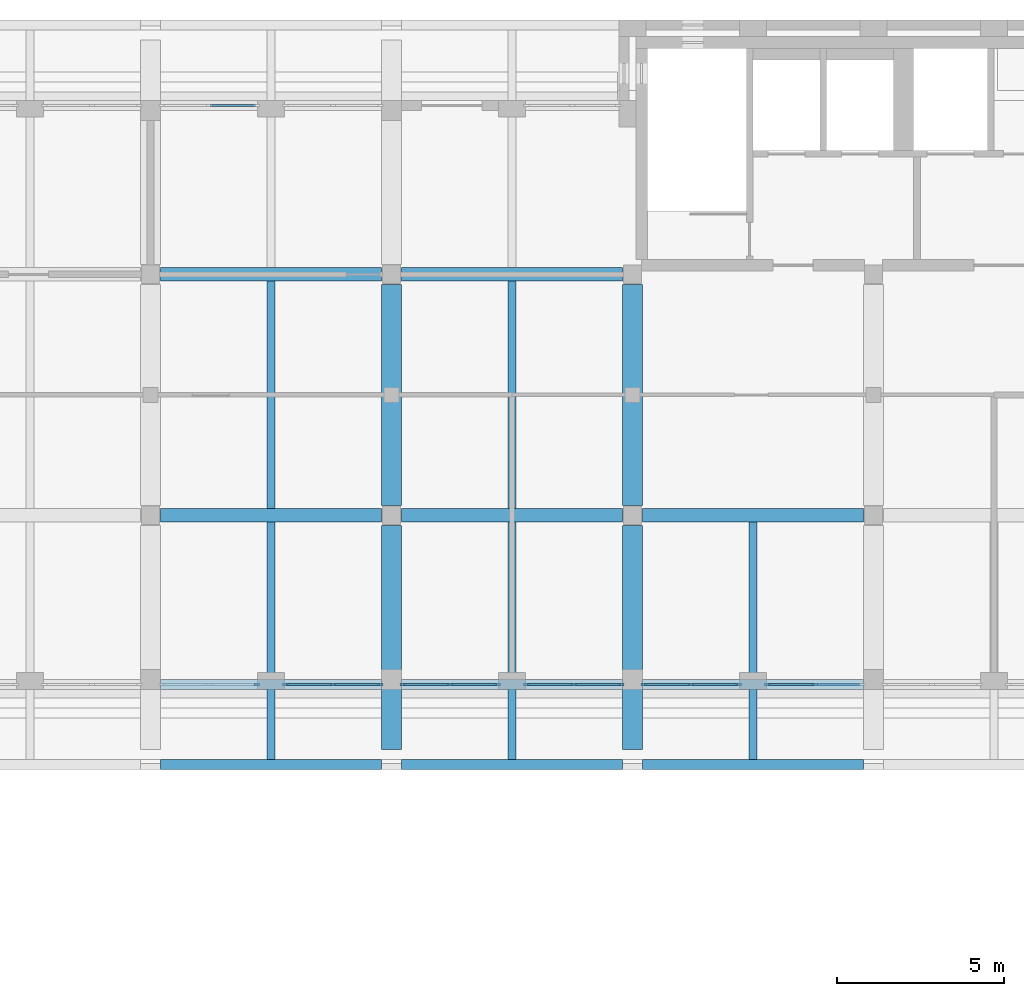
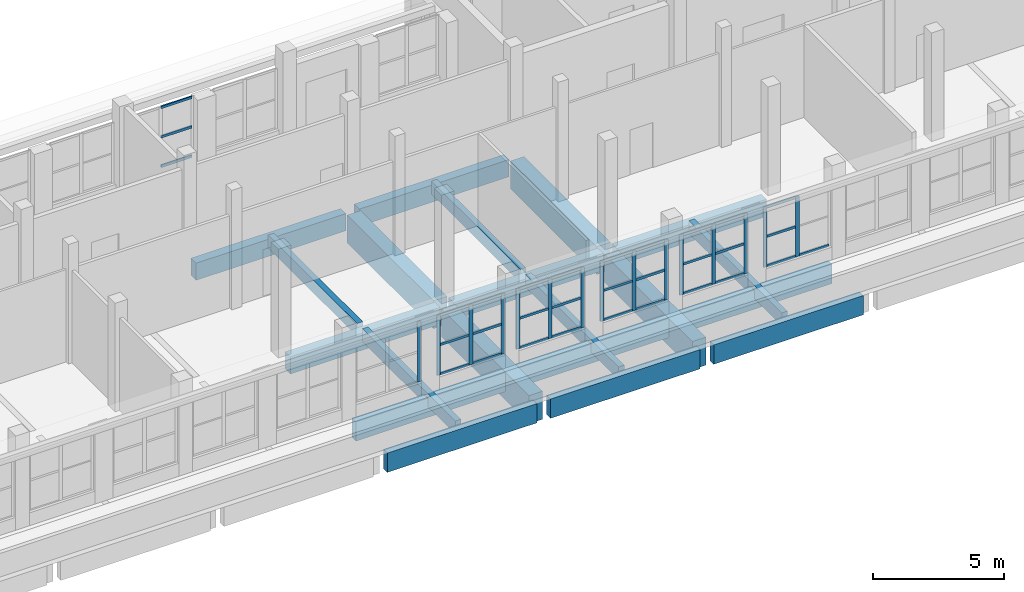
# One storey, part 5 of 30: 46 members, 20 beams, 7 elements without a shape of their own.
"""IFC4 building model written with IfcOpenShell, lengths in metres."""

from ifc_helpers import new_model, si_unit, direction, frame, origin, origin_2d, place, context, subcontext, project, spatial, rectangle, extrude, material, layer, layer_set, material_profile, profile_set, type_object, element, aggregate, save


model = new_model("IFC4")

# Units and contexts
model_context = context("Model", 3, precision=1e-05, world=origin(), true_north=direction((0.0, 1.0)))
body_context = subcontext(model_context, "Body", "Model", "MODEL_VIEW")
ifc_project = project(units=[si_unit("LENGTHUNIT", "METRE"), si_unit("AREAUNIT", "SQUARE_METRE"), si_unit("VOLUMEUNIT", "CUBIC_METRE"), si_unit("PLANEANGLEUNIT", "RADIAN"), si_unit("MASSUNIT", "GRAM", prefix="KILO")], contexts=[model_context])

# Site, building, storey
site_placement = place(None, origin())
site = spatial("IfcSite", under=ifc_project, at=site_placement, CompositionType="ELEMENT")
building_placement = place(site_placement, origin())
building = spatial("IfcBuilding", under=site, at=building_placement, Name="Ussher Court Research Institute", CompositionType="ELEMENT")
storey_placement = place(building_placement, frame((0.0, 0.0, 27.89990234375)))
storey = spatial("IfcBuildingStorey", under=building, at=storey_placement, Name="L06", CompositionType="ELEMENT", Elevation=27.89990234375)

# Curtain wall, members
ifc_material_1 = material(Name="Bronze anodised aluminium with insulated low-e glass", Category="aluminium")
ifc_layer = layer(ifc_material_1, 0.1201171875)
ifc_layer_set = layer_set([ifc_layer], Name="Bronze anodised aluminium with insulated low-e glass")
curtain_wall_type = type_object("IfcCurtainWallType", Name="Curtain wall attic gallery glazing", PredefinedType="NOTDEFINED", material=ifc_layer_set)
curtain_wall_1_placement = place(storey_placement, origin())
curtain_wall_1 = element("IfcCurtainWall", 1, at=curtain_wall_1_placement, inside=storey, type_object=curtain_wall_type, Name="Curtain wall CW11 L06", PredefinedType="NOTDEFINED")
ifc_material_2 = material(Name="Bronze anodised aluminium", Category="aluminium")
ifc_material_profile_1 = material_profile(ifc_material_2, rectangle(XDim=0.06005859375, YDim=0.159912109375, at=origin_2d()), Name="Mullion 60x160")
ifc_profile_set_1 = profile_set([ifc_material_profile_1], Name="Bronze anodised aluminium")
member_type_1 = type_object("IfcMemberType", Name="Mullion 60x160", PredefinedType="MULLION", material=ifc_profile_set_1)
member_1_placement = place(storey_placement, frame((51.64990234375, 70.949951171875, 0.60009765625), z_axis=(0.0, 0.0, 1.0), x_axis=(0.0, -1.0, 0.0)))
member_1 = element("IfcMember", 2, at=member_1_placement, type_object=member_type_1, Name="CW11 mullion 2", PredefinedType="MULLION", context=body_context, shape_type="SweptSolid", body=[
    extrude(rectangle(XDim=0.06005859375, YDim=0.159912109375, at=origin_2d()), origin(), (0.0, 0.0, 1.0), 2.800048828125),
])
member_2_placement = place(storey_placement, frame((50.22998046875, 70.949951171875, 0.60009765625), z_axis=(0.0, 0.0, 1.0), x_axis=(0.0, -1.0, 0.0)))
member_2 = element("IfcMember", 3, at=member_2_placement, type_object=member_type_1, Name="CW11 mullion 3", PredefinedType="MULLION", context=body_context, shape_type="SweptSolid", body=[
    extrude(rectangle(XDim=0.06005859375, YDim=0.159912109375, at=origin_2d()), origin(), (0.0, 0.0, 1.0), 2.800048828125),
])

curtain_wall_2_placement = place(storey_placement, origin())
curtain_wall_2 = element("IfcCurtainWall", 4, at=curtain_wall_2_placement, inside=storey, type_object=curtain_wall_type, Name="Curtain wall CW11 L06", PredefinedType="NOTDEFINED")
member_3_placement = place(storey_placement, frame((49.3701171875, 70.949951171875, 0.60009765625), z_axis=(0.0, 0.0, 1.0), x_axis=(0.0, -1.0, 0.0)))
member_3 = element("IfcMember", 5, at=member_3_placement, type_object=member_type_1, Name="CW11 mullion 1", PredefinedType="MULLION", context=body_context, shape_type="SweptSolid", body=[
    extrude(rectangle(XDim=0.06005859375, YDim=0.159912109375, at=origin_2d()), origin(), (0.0, 0.0, 1.0), 2.800048828125),
])
member_4_placement = place(storey_placement, frame((47.949951171875, 70.949951171875, 0.60009765625), z_axis=(0.0, 0.0, 1.0), x_axis=(0.0, -1.0, 0.0)))
member_4 = element("IfcMember", 6, at=member_4_placement, type_object=member_type_1, Name="CW11 mullion 2", PredefinedType="MULLION", context=body_context, shape_type="SweptSolid", body=[
    extrude(rectangle(XDim=0.06005859375, YDim=0.159912109375, at=origin_2d()), origin(), (0.0, 0.0, 1.0), 2.800048828125),
])
member_5_placement = place(storey_placement, frame((46.530029296875, 70.949951171875, 0.60009765625), z_axis=(0.0, 0.0, 1.0), x_axis=(0.0, -1.0, 0.0)))
member_5 = element("IfcMember", 7, at=member_5_placement, type_object=member_type_1, Name="CW11 mullion 3", PredefinedType="MULLION", context=body_context, shape_type="SweptSolid", body=[
    extrude(rectangle(XDim=0.06005859375, YDim=0.159912109375, at=origin_2d()), origin(), (0.0, 0.0, 1.0), 2.800048828125),
])

curtain_wall_3_placement = place(storey_placement, origin())
curtain_wall_3 = element("IfcCurtainWall", 8, at=curtain_wall_3_placement, inside=storey, type_object=curtain_wall_type, Name="Curtain wall CW11 L06", PredefinedType="NOTDEFINED")
member_6_placement = place(storey_placement, frame((45.8701171875, 70.949951171875, 0.60009765625), z_axis=(0.0, 0.0, 1.0), x_axis=(0.0, -1.0, 0.0)))
member_6 = element("IfcMember", 9, at=member_6_placement, type_object=member_type_1, Name="CW11 mullion 1", PredefinedType="MULLION", context=body_context, shape_type="SweptSolid", body=[
    extrude(rectangle(XDim=0.06005859375, YDim=0.159912109375, at=origin_2d()), origin(), (0.0, 0.0, 1.0), 2.800048828125),
])
member_7_placement = place(storey_placement, frame((44.449951171875, 70.949951171875, 0.60009765625), z_axis=(0.0, 0.0, 1.0), x_axis=(0.0, -1.0, 0.0)))
member_7 = element("IfcMember", 10, at=member_7_placement, type_object=member_type_1, Name="CW11 mullion 2", PredefinedType="MULLION", context=body_context, shape_type="SweptSolid", body=[
    extrude(rectangle(XDim=0.06005859375, YDim=0.159912109375, at=origin_2d()), origin(), (0.0, 0.0, 1.0), 2.800048828125),
])
member_8_placement = place(storey_placement, frame((43.030029296875, 70.949951171875, 0.60009765625), z_axis=(0.0, 0.0, 1.0), x_axis=(0.0, -1.0, 0.0)))
member_8 = element("IfcMember", 11, at=member_8_placement, type_object=member_type_1, Name="CW11 mullion 3", PredefinedType="MULLION", context=body_context, shape_type="SweptSolid", body=[
    extrude(rectangle(XDim=0.06005859375, YDim=0.159912109375, at=origin_2d()), origin(), (0.0, 0.0, 1.0), 2.800048828125),
])

curtain_wall_4_placement = place(storey_placement, origin())
curtain_wall_4 = element("IfcCurtainWall", 12, at=curtain_wall_4_placement, inside=storey, type_object=curtain_wall_type, Name="Curtain wall CW11 L06", PredefinedType="NOTDEFINED")
member_9_placement = place(storey_placement, frame((42.169921875, 70.949951171875, 0.60009765625), z_axis=(0.0, 0.0, 1.0), x_axis=(0.0, -1.0, 0.0)))
member_9 = element("IfcMember", 13, at=member_9_placement, type_object=member_type_1, Name="CW11 mullion 1", PredefinedType="MULLION", context=body_context, shape_type="SweptSolid", body=[
    extrude(rectangle(XDim=0.06005859375, YDim=0.159912109375, at=origin_2d()), origin(), (0.0, 0.0, 1.0), 2.800048828125),
])
member_10_placement = place(storey_placement, frame((40.75, 70.949951171875, 0.60009765625), z_axis=(0.0, 0.0, 1.0), x_axis=(0.0, -1.0, 0.0)))
member_10 = element("IfcMember", 14, at=member_10_placement, type_object=member_type_1, Name="CW11 mullion 2", PredefinedType="MULLION", context=body_context, shape_type="SweptSolid", body=[
    extrude(rectangle(XDim=0.06005859375, YDim=0.159912109375, at=origin_2d()), origin(), (0.0, 0.0, 1.0), 2.800048828125),
])
member_11_placement = place(storey_placement, frame((39.330078125, 70.949951171875, 0.60009765625), z_axis=(0.0, 0.0, 1.0), x_axis=(0.0, -1.0, 0.0)))
member_11 = element("IfcMember", 15, at=member_11_placement, type_object=member_type_1, Name="CW11 mullion 3", PredefinedType="MULLION", context=body_context, shape_type="SweptSolid", body=[
    extrude(rectangle(XDim=0.06005859375, YDim=0.159912109375, at=origin_2d()), origin(), (0.0, 0.0, 1.0), 2.800048828125),
])

curtain_wall_5_placement = place(storey_placement, origin())
curtain_wall_5 = element("IfcCurtainWall", 16, at=curtain_wall_5_placement, inside=storey, type_object=curtain_wall_type, Name="Curtain wall CW11 L06", PredefinedType="NOTDEFINED")
member_12_placement = place(storey_placement, frame((38.669921875, 70.949951171875, 0.60009765625), z_axis=(0.0, 0.0, 1.0), x_axis=(0.0, -1.0, 0.0)))
member_12 = element("IfcMember", 17, at=member_12_placement, type_object=member_type_1, Name="CW11 mullion 1", PredefinedType="MULLION", context=body_context, shape_type="SweptSolid", body=[
    extrude(rectangle(XDim=0.06005859375, YDim=0.159912109375, at=origin_2d()), origin(), (0.0, 0.0, 1.0), 2.800048828125),
])
member_13_placement = place(storey_placement, frame((37.25, 70.949951171875, 0.60009765625), z_axis=(0.0, 0.0, 1.0), x_axis=(0.0, -1.0, 0.0)))
member_13 = element("IfcMember", 18, at=member_13_placement, type_object=member_type_1, Name="CW11 mullion 2", PredefinedType="MULLION", context=body_context, shape_type="SweptSolid", body=[
    extrude(rectangle(XDim=0.06005859375, YDim=0.159912109375, at=origin_2d()), origin(), (0.0, 0.0, 1.0), 2.800048828125),
])
member_14_placement = place(storey_placement, frame((35.830078125, 70.949951171875, 0.60009765625), z_axis=(0.0, 0.0, 1.0), x_axis=(0.0, -1.0, 0.0)))
member_14 = element("IfcMember", 19, at=member_14_placement, type_object=member_type_1, Name="CW11 mullion 3", PredefinedType="MULLION", context=body_context, shape_type="SweptSolid", body=[
    extrude(rectangle(XDim=0.06005859375, YDim=0.159912109375, at=origin_2d()), origin(), (0.0, 0.0, 1.0), 2.800048828125),
])

# Curtain wall, member
curtain_wall_6_placement = place(storey_placement, origin())
curtain_wall_6 = element("IfcCurtainWall", 20, at=curtain_wall_6_placement, inside=storey, type_object=curtain_wall_type, Name="Curtain wall CW11 L06", PredefinedType="NOTDEFINED")
member_15_placement = place(storey_placement, frame((34.969970703125, 70.949951171875, 0.60009765625), z_axis=(0.0, 0.0, 1.0), x_axis=(0.0, -1.0, 0.0)))
member_15 = element("IfcMember", 21, at=member_15_placement, type_object=member_type_1, Name="CW11 mullion 1", PredefinedType="MULLION", context=body_context, shape_type="SweptSolid", body=[
    extrude(rectangle(XDim=0.06005859375, YDim=0.159912109375, at=origin_2d()), origin(), (0.0, 0.0, 1.0), 2.800048828125),
])
aggregate(curtain_wall_6, [member_15])

# Beams
ifc_material_3 = material(Name="Concrete C35/45", Category="concrete")
ifc_material_profile_2 = material_profile(ifc_material_3, rectangle(XDim=0.25, YDim=0.60009765625, at=origin_2d()), Name="RC 250x600")
ifc_profile_set_2 = profile_set([ifc_material_profile_2], Name="Concrete C35/45")
beam_type_1 = type_object("IfcBeamType", Name="RC 250x600 beam", PredefinedType="BEAM", material=ifc_profile_set_2)
beam_1_placement = place(storey_placement, frame((35.39990234375, 68.699951171875, -0.2998046875), z_axis=(0.0, 1.0, 0.0), x_axis=(-1.0, 0.0, 0.0)))
element("IfcBeam", 22, at=beam_1_placement, inside=storey, type_object=beam_type_1, Name="B14 V5 L06-11", PredefinedType="BEAM", context=body_context, shape_type="SweptSolid", body=[
    extrude(rectangle(XDim=0.25, YDim=0.60009765625, at=origin_2d()), origin(), (0.0, 0.0, 1.0), 7.10009765625),
])
beam_2_placement = place(storey_placement, frame((35.39990234375, 76.199951171875, -0.2998046875), z_axis=(0.0, 1.0, 0.0), x_axis=(-1.0, 0.0, 0.0)))
element("IfcBeam", 23, at=beam_2_placement, inside=storey, type_object=beam_type_1, Name="B14 V5 L06-12", PredefinedType="BEAM", context=body_context, shape_type="SweptSolid", body=[
    extrude(rectangle(XDim=0.25, YDim=0.60009765625, at=origin_2d()), origin(), (0.0, 0.0, 1.0), 6.800048828125),
])
beam_3_placement = place(storey_placement, frame((42.60009765625, 68.699951171875, -0.2998046875), z_axis=(0.0, 1.0, 0.0), x_axis=(-1.0, 0.0, 0.0)))
element("IfcBeam", 24, at=beam_3_placement, inside=storey, type_object=beam_type_1, Name="B14 V5 L06-14", PredefinedType="BEAM", context=body_context, shape_type="SweptSolid", body=[
    extrude(rectangle(XDim=0.25, YDim=0.60009765625, at=origin_2d()), origin(), (0.0, 0.0, 1.0), 7.10009765625),
])
beam_4_placement = place(storey_placement, frame((42.60009765625, 76.199951171875, -0.2998046875), z_axis=(0.0, 1.0, 0.0), x_axis=(-1.0, 0.0, 0.0)))
element("IfcBeam", 25, at=beam_4_placement, inside=storey, type_object=beam_type_1, Name="B14 V5 L06-15", PredefinedType="BEAM", context=body_context, shape_type="SweptSolid", body=[
    extrude(rectangle(XDim=0.25, YDim=0.60009765625, at=origin_2d()), origin(), (0.0, 0.0, 1.0), 6.800048828125),
])
beam_5_placement = place(storey_placement, frame((49.800048828125, 68.699951171875, -0.2998046875), z_axis=(0.0, 1.0, 0.0), x_axis=(-1.0, 0.0, 0.0)))
element("IfcBeam", 26, at=beam_5_placement, inside=storey, type_object=beam_type_1, Name="B14 V5 L06-17", PredefinedType="BEAM", context=body_context, shape_type="SweptSolid", body=[
    extrude(rectangle(XDim=0.25, YDim=0.60009765625, at=origin_2d()), origin(), (0.0, 0.0, 1.0), 7.10009765625),
])
ifc_material_4 = material(Name="Concrete C35/45", Category="concrete")
ifc_material_profile_3 = material_profile(ifc_material_4, rectangle(XDim=0.300048828125, YDim=0.89990234375, at=origin_2d()), Name="RC 300x900")
ifc_profile_set_3 = profile_set([ifc_material_profile_3], Name="Concrete C35/45")
beam_type_2 = type_object("IfcBeamType", Name="RC 300x900 beam", PredefinedType="BEAM", material=ifc_profile_set_3)
for number, where, z_axis, x_axis, name in (
    (27, (32.10009765625, 68.550048828125, -0.64990234375), (1.0, 0.0, 0.0), (0.0, 1.0, 0.0), "SB2 V5 L06-05"),
    (28, (39.300048828125, 68.550048828125, -0.64990234375), (1.0, 0.0, 0.0), (0.0, 1.0, 0.0), "SB2 V5 L06-06"),
):
    element("IfcBeam", number, at=place(storey_placement, frame(where, z_axis=z_axis, x_axis=x_axis)), inside=storey, type_object=beam_type_2, Name=name, PredefinedType="BEAM", context=body_context, shape_type="SweptSolid", body=[
        extrude(rectangle(XDim=0.300048828125, YDim=0.89990234375, at=origin_2d()), origin(), (0.0, 0.0, 1.0), 6.599853515625),
    ])
beam_6_placement = place(storey_placement, frame((46.5, 68.550048828125, -0.64990234375), z_axis=(1.0, 0.0, 0.0), x_axis=(0.0, 1.0, 0.0)))
element("IfcBeam", 29, at=beam_6_placement, inside=storey, type_object=beam_type_2, Name="SB2 V5 L06-07", PredefinedType="BEAM", context=body_context, shape_type="SweptSolid", body=[
    extrude(rectangle(XDim=0.300048828125, YDim=0.89990234375, at=origin_2d()), origin(), (0.0, 0.0, 1.0), 6.60009765625),
])
for number, where, z_axis, x_axis, name in (
    (30, (32.10009765625, 70.949951171875, -0.64990234375), (1.0, 0.0, 0.0), (0.0, 1.0, 0.0), "SB2 V5 L06-27"),
    (31, (39.300048828125, 70.949951171875, -0.64990234375), (1.0, 0.0, 0.0), (0.0, 1.0, 0.0), "SB2 V5 L06-28"),
):
    element("IfcBeam", number, at=place(storey_placement, frame(where, z_axis=z_axis, x_axis=x_axis)), inside=storey, type_object=beam_type_2, Name=name, PredefinedType="BEAM", context=body_context, shape_type="SweptSolid", body=[
        extrude(rectangle(XDim=0.300048828125, YDim=0.89990234375, at=origin_2d()), origin(), (0.0, 0.0, 1.0), 6.599853515625),
    ])
beam_7_placement = place(storey_placement, frame((46.5, 70.949951171875, -0.64990234375), z_axis=(1.0, 0.0, 0.0), x_axis=(0.0, 1.0, 0.0)))
element("IfcBeam", 32, at=beam_7_placement, inside=storey, type_object=beam_type_2, Name="SB2 V5 L06-29", PredefinedType="BEAM", context=body_context, shape_type="SweptSolid", body=[
    extrude(rectangle(XDim=0.300048828125, YDim=0.89990234375, at=origin_2d()), origin(), (0.0, 0.0, 1.0), 6.60009765625),
])
ifc_material_5 = material(Name="Concrete C35/45", Category="concrete")
ifc_material_profile_4 = material_profile(ifc_material_5, rectangle(XDim=0.39990234375, YDim=0.800048828125, at=origin_2d()), Name="RC 400x800")
ifc_profile_set_4 = profile_set([ifc_material_profile_4], Name="Concrete C35/45")
beam_type_3 = type_object("IfcBeamType", Name="RC 400x800 beam", PredefinedType="BEAM", material=ifc_profile_set_4)
for number, where, z_axis, x_axis, name in (
    (33, (32.10009765625, 76.0, -0.599853515625), (1.0, 0.0, 0.0), (0.0, 1.0, 0.0), "B17 V5 L06-05"),
    (34, (39.300048828125, 76.0, -0.599853515625), (1.0, 0.0, 0.0), (0.0, 1.0, 0.0), "B17 V5 L06-06"),
):
    element("IfcBeam", number, at=place(storey_placement, frame(where, z_axis=z_axis, x_axis=x_axis)), inside=storey, type_object=beam_type_3, Name=name, PredefinedType="BEAM", context=body_context, shape_type="SweptSolid", body=[
        extrude(rectangle(XDim=0.39990234375, YDim=0.800048828125, at=origin_2d()), origin(), (0.0, 0.0, 1.0), 6.599853515625),
    ])
beam_8_placement = place(storey_placement, frame((46.5, 76.0, -0.599853515625), z_axis=(1.0, 0.0, 0.0), x_axis=(0.0, 1.0, 0.0)))
element("IfcBeam", 35, at=beam_8_placement, inside=storey, type_object=beam_type_3, Name="B17 V5 L06-07", PredefinedType="BEAM", context=body_context, shape_type="SweptSolid", body=[
    extrude(rectangle(XDim=0.39990234375, YDim=0.800048828125, at=origin_2d()), origin(), (0.0, 0.0, 1.0), 6.60009765625),
])
for number, where, z_axis, x_axis, name in (
    (36, (32.10009765625, 83.199951171875, -0.599853515625), (1.0, 0.0, 0.0), (0.0, 1.0, 0.0), "B17 V5 L06-15"),
    (37, (39.300048828125, 83.199951171875, -0.599853515625), (1.0, 0.0, 0.0), (0.0, 1.0, 0.0), "B17 V5 L06-16"),
):
    element("IfcBeam", number, at=place(storey_placement, frame(where, z_axis=z_axis, x_axis=x_axis)), inside=storey, type_object=beam_type_3, Name=name, PredefinedType="BEAM", context=body_context, shape_type="SweptSolid", body=[
        extrude(rectangle(XDim=0.39990234375, YDim=0.800048828125, at=origin_2d()), origin(), (0.0, 0.0, 1.0), 6.599853515625),
    ])
ifc_material_6 = material(Name="Concrete C35/45", Category="concrete")
ifc_material_profile_5 = material_profile(ifc_material_6, rectangle(XDim=0.60009765625, YDim=1.300048828125, at=origin_2d()), Name="RC 600x1300")
ifc_profile_set_5 = profile_set([ifc_material_profile_5], Name="Concrete C35/45")
beam_type_4 = type_object("IfcBeamType", Name="RC 600x1300 beam", PredefinedType="BEAM", material=ifc_profile_set_5)
beam_9_placement = place(storey_placement, frame((39.0, 69.0, -0.849853515625), z_axis=(0.0, 1.0, 0.0), x_axis=(-1.0, 0.0, 0.0)))
element("IfcBeam", 38, at=beam_9_placement, inside=storey, type_object=beam_type_4, Name="TB1 V5 L06-14", PredefinedType="BEAM", context=body_context, shape_type="SweptSolid", body=[
    extrude(rectangle(XDim=0.60009765625, YDim=1.300048828125, at=origin_2d()), origin(), (0.0, 0.0, 1.0), 6.699951171875),
])
beam_10_placement = place(storey_placement, frame((39.0, 76.300048828125, -0.849853515625), z_axis=(0.0, 1.0, 0.0), x_axis=(-1.0, 0.0, 0.0)))
element("IfcBeam", 39, at=beam_10_placement, inside=storey, type_object=beam_type_4, Name="TB1 V5 L06-15", PredefinedType="BEAM", context=body_context, shape_type="SweptSolid", body=[
    extrude(rectangle(XDim=0.60009765625, YDim=1.300048828125, at=origin_2d()), origin(), (0.0, 0.0, 1.0), 6.599853515625),
])
beam_11_placement = place(storey_placement, frame((46.199951171875, 69.0, -0.849853515625), z_axis=(0.0, 1.0, 0.0), x_axis=(-1.0, 0.0, 0.0)))
element("IfcBeam", 40, at=beam_11_placement, inside=storey, type_object=beam_type_4, Name="TB1 V5 L06-17", PredefinedType="BEAM", context=body_context, shape_type="SweptSolid", body=[
    extrude(rectangle(XDim=0.60009765625, YDim=1.300048828125, at=origin_2d()), origin(), (0.0, 0.0, 1.0), 6.699951171875),
])
beam_12_placement = place(storey_placement, frame((46.199951171875, 76.300048828125, -0.849853515625), z_axis=(0.0, 1.0, 0.0), x_axis=(-1.0, 0.0, 0.0)))
element("IfcBeam", 41, at=beam_12_placement, inside=storey, type_object=beam_type_4, Name="TB1 V5 L06-18", PredefinedType="BEAM", context=body_context, shape_type="SweptSolid", body=[
    extrude(rectangle(XDim=0.60009765625, YDim=1.300048828125, at=origin_2d()), origin(), (0.0, 0.0, 1.0), 6.599853515625),
])

# Member
ifc_material_7 = material(Name="Bronze anodised aluminium", Category="aluminium")
ifc_material_profile_6 = material_profile(ifc_material_7, rectangle(XDim=0.06005859375, YDim=0.1201171875, at=origin_2d()), Name="Transom 60x120")
ifc_profile_set_6 = profile_set([ifc_material_profile_6], Name="Bronze anodised aluminium")
member_type_2 = type_object("IfcMemberType", Name="Transom 60x120", PredefinedType="USERDEFINED", material=ifc_profile_set_6)
member_16_placement = place(storey_placement, frame((53.0400390625, 70.949951171875, 0.630126953125), z_axis=(-1.0, 0.0, 0.0), x_axis=(0.0, -1.0, 0.0)))
member_16 = element("IfcMember", 42, at=member_16_placement, type_object=member_type_2, Name="CW11 transom 1.1", ObjectType="TRANSOM", PredefinedType="USERDEFINED", context=body_context, shape_type="SweptSolid", body=[
    extrude(rectangle(XDim=0.06005859375, YDim=0.1201171875, at=origin_2d()), origin(), (0.0, 0.0, 1.0), 1.360107421875),
])

member_17_placement = place(storey_placement, frame((51.6201171875, 70.949951171875, 0.630126953125), z_axis=(-1.0, 0.0, 0.0), x_axis=(0.0, -1.0, 0.0)))
member_17 = element("IfcMember", 43, at=member_17_placement, type_object=member_type_2, Name="CW11 transom 2.1", ObjectType="TRANSOM", PredefinedType="USERDEFINED", context=body_context, shape_type="SweptSolid", body=[
    extrude(rectangle(XDim=0.06005859375, YDim=0.1201171875, at=origin_2d()), origin(), (0.0, 0.0, 1.0), 1.360107421875),
])

member_18_placement = place(storey_placement, frame((51.6201171875, 70.949951171875, 2.0), z_axis=(-1.0, 0.0, 0.0), x_axis=(0.0, -1.0, 0.0)))
member_18 = element("IfcMember", 44, at=member_18_placement, type_object=member_type_2, Name="CW11 transom 2.2", ObjectType="TRANSOM", PredefinedType="USERDEFINED", context=body_context, shape_type="SweptSolid", body=[
    extrude(rectangle(XDim=0.06005859375, YDim=0.1201171875, at=origin_2d()), origin(), (0.0, 0.0, 1.0), 1.360107421875),
])

member_19_placement = place(storey_placement, frame((51.6201171875, 70.949951171875, 3.3701171875), z_axis=(-1.0, 0.0, 0.0), x_axis=(0.0, -1.0, 0.0)))
member_19 = element("IfcMember", 45, at=member_19_placement, type_object=member_type_2, Name="CW11 transom 2.3", ObjectType="TRANSOM", PredefinedType="USERDEFINED", context=body_context, shape_type="SweptSolid", body=[
    extrude(rectangle(XDim=0.06005859375, YDim=0.1201171875, at=origin_2d()), origin(), (0.0, 0.0, 1.0), 1.360107421875),
])

aggregate(curtain_wall_1, [member_1, member_2, member_16, member_17, member_18, member_19])

member_20_placement = place(storey_placement, frame((49.340087890625, 70.949951171875, 0.630126953125), z_axis=(-1.0, 0.0, 0.0), x_axis=(0.0, -1.0, 0.0)))
member_20 = element("IfcMember", 46, at=member_20_placement, type_object=member_type_2, Name="CW11 transom 1.1", ObjectType="TRANSOM", PredefinedType="USERDEFINED", context=body_context, shape_type="SweptSolid", body=[
    extrude(rectangle(XDim=0.06005859375, YDim=0.1201171875, at=origin_2d()), origin(), (0.0, 0.0, 1.0), 1.360107421875),
])

member_21_placement = place(storey_placement, frame((49.340087890625, 70.949951171875, 2.0), z_axis=(-1.0, 0.0, 0.0), x_axis=(0.0, -1.0, 0.0)))
member_21 = element("IfcMember", 47, at=member_21_placement, type_object=member_type_2, Name="CW11 transom 1.2", ObjectType="TRANSOM", PredefinedType="USERDEFINED", context=body_context, shape_type="SweptSolid", body=[
    extrude(rectangle(XDim=0.06005859375, YDim=0.1201171875, at=origin_2d()), origin(), (0.0, 0.0, 1.0), 1.360107421875),
])

member_22_placement = place(storey_placement, frame((49.340087890625, 70.949951171875, 3.3701171875), z_axis=(-1.0, 0.0, 0.0), x_axis=(0.0, -1.0, 0.0)))
member_22 = element("IfcMember", 48, at=member_22_placement, type_object=member_type_2, Name="CW11 transom 1.3", ObjectType="TRANSOM", PredefinedType="USERDEFINED", context=body_context, shape_type="SweptSolid", body=[
    extrude(rectangle(XDim=0.06005859375, YDim=0.1201171875, at=origin_2d()), origin(), (0.0, 0.0, 1.0), 1.360107421875),
])

member_23_placement = place(storey_placement, frame((47.919921875, 70.949951171875, 0.630126953125), z_axis=(-1.0, 0.0, 0.0), x_axis=(0.0, -1.0, 0.0)))
member_23 = element("IfcMember", 49, at=member_23_placement, type_object=member_type_2, Name="CW11 transom 2.1", ObjectType="TRANSOM", PredefinedType="USERDEFINED", context=body_context, shape_type="SweptSolid", body=[
    extrude(rectangle(XDim=0.06005859375, YDim=0.1201171875, at=origin_2d()), origin(), (0.0, 0.0, 1.0), 1.35986328125),
])

member_24_placement = place(storey_placement, frame((47.919921875, 70.949951171875, 2.0), z_axis=(-1.0, 0.0, 0.0), x_axis=(0.0, -1.0, 0.0)))
member_24 = element("IfcMember", 50, at=member_24_placement, type_object=member_type_2, Name="CW11 transom 2.2", ObjectType="TRANSOM", PredefinedType="USERDEFINED", context=body_context, shape_type="SweptSolid", body=[
    extrude(rectangle(XDim=0.06005859375, YDim=0.1201171875, at=origin_2d()), origin(), (0.0, 0.0, 1.0), 1.35986328125),
])

member_25_placement = place(storey_placement, frame((47.919921875, 70.949951171875, 3.3701171875), z_axis=(-1.0, 0.0, 0.0), x_axis=(0.0, -1.0, 0.0)))
member_25 = element("IfcMember", 51, at=member_25_placement, type_object=member_type_2, Name="CW11 transom 2.3", ObjectType="TRANSOM", PredefinedType="USERDEFINED", context=body_context, shape_type="SweptSolid", body=[
    extrude(rectangle(XDim=0.06005859375, YDim=0.1201171875, at=origin_2d()), origin(), (0.0, 0.0, 1.0), 1.35986328125),
])

aggregate(curtain_wall_2, [member_3, member_4, member_5, member_20, member_21, member_22, member_23, member_24, member_25])

member_26_placement = place(storey_placement, frame((45.840087890625, 70.949951171875, 0.630126953125), z_axis=(-1.0, 0.0, 0.0), x_axis=(0.0, -1.0, 0.0)))
member_26 = element("IfcMember", 52, at=member_26_placement, type_object=member_type_2, Name="CW11 transom 1.1", ObjectType="TRANSOM", PredefinedType="USERDEFINED", context=body_context, shape_type="SweptSolid", body=[
    extrude(rectangle(XDim=0.06005859375, YDim=0.1201171875, at=origin_2d()), origin(), (0.0, 0.0, 1.0), 1.360107421875),
])

member_27_placement = place(storey_placement, frame((45.840087890625, 70.949951171875, 2.0), z_axis=(-1.0, 0.0, 0.0), x_axis=(0.0, -1.0, 0.0)))
member_27 = element("IfcMember", 53, at=member_27_placement, type_object=member_type_2, Name="CW11 transom 1.2", ObjectType="TRANSOM", PredefinedType="USERDEFINED", context=body_context, shape_type="SweptSolid", body=[
    extrude(rectangle(XDim=0.06005859375, YDim=0.1201171875, at=origin_2d()), origin(), (0.0, 0.0, 1.0), 1.360107421875),
])

member_28_placement = place(storey_placement, frame((45.840087890625, 70.949951171875, 3.3701171875), z_axis=(-1.0, 0.0, 0.0), x_axis=(0.0, -1.0, 0.0)))
member_28 = element("IfcMember", 54, at=member_28_placement, type_object=member_type_2, Name="CW11 transom 1.3", ObjectType="TRANSOM", PredefinedType="USERDEFINED", context=body_context, shape_type="SweptSolid", body=[
    extrude(rectangle(XDim=0.06005859375, YDim=0.1201171875, at=origin_2d()), origin(), (0.0, 0.0, 1.0), 1.360107421875),
])

member_29_placement = place(storey_placement, frame((44.419921875, 70.949951171875, 0.630126953125), z_axis=(-1.0, 0.0, 0.0), x_axis=(0.0, -1.0, 0.0)))
member_29 = element("IfcMember", 55, at=member_29_placement, type_object=member_type_2, Name="CW11 transom 2.1", ObjectType="TRANSOM", PredefinedType="USERDEFINED", context=body_context, shape_type="SweptSolid", body=[
    extrude(rectangle(XDim=0.06005859375, YDim=0.1201171875, at=origin_2d()), origin(), (0.0, 0.0, 1.0), 1.35986328125),
])

member_30_placement = place(storey_placement, frame((44.419921875, 70.949951171875, 2.0), z_axis=(-1.0, 0.0, 0.0), x_axis=(0.0, -1.0, 0.0)))
member_30 = element("IfcMember", 56, at=member_30_placement, type_object=member_type_2, Name="CW11 transom 2.2", ObjectType="TRANSOM", PredefinedType="USERDEFINED", context=body_context, shape_type="SweptSolid", body=[
    extrude(rectangle(XDim=0.06005859375, YDim=0.1201171875, at=origin_2d()), origin(), (0.0, 0.0, 1.0), 1.35986328125),
])

member_31_placement = place(storey_placement, frame((44.419921875, 70.949951171875, 3.3701171875), z_axis=(-1.0, 0.0, 0.0), x_axis=(0.0, -1.0, 0.0)))
member_31 = element("IfcMember", 57, at=member_31_placement, type_object=member_type_2, Name="CW11 transom 2.3", ObjectType="TRANSOM", PredefinedType="USERDEFINED", context=body_context, shape_type="SweptSolid", body=[
    extrude(rectangle(XDim=0.06005859375, YDim=0.1201171875, at=origin_2d()), origin(), (0.0, 0.0, 1.0), 1.35986328125),
])

aggregate(curtain_wall_3, [member_6, member_7, member_8, member_26, member_27, member_28, member_29, member_30, member_31])

member_32_placement = place(storey_placement, frame((42.139892578125, 70.949951171875, 0.630126953125), z_axis=(-1.0, 0.0, 0.0), x_axis=(0.0, -1.0, 0.0)))
member_32 = element("IfcMember", 58, at=member_32_placement, type_object=member_type_2, Name="CW11 transom 1.1", ObjectType="TRANSOM", PredefinedType="USERDEFINED", context=body_context, shape_type="SweptSolid", body=[
    extrude(rectangle(XDim=0.06005859375, YDim=0.1201171875, at=origin_2d()), origin(), (0.0, 0.0, 1.0), 1.35986328125),
])

member_33_placement = place(storey_placement, frame((42.139892578125, 70.949951171875, 2.0), z_axis=(-1.0, 0.0, 0.0), x_axis=(0.0, -1.0, 0.0)))
member_33 = element("IfcMember", 59, at=member_33_placement, type_object=member_type_2, Name="CW11 transom 1.2", ObjectType="TRANSOM", PredefinedType="USERDEFINED", context=body_context, shape_type="SweptSolid", body=[
    extrude(rectangle(XDim=0.06005859375, YDim=0.1201171875, at=origin_2d()), origin(), (0.0, 0.0, 1.0), 1.35986328125),
])

member_34_placement = place(storey_placement, frame((42.139892578125, 70.949951171875, 3.3701171875), z_axis=(-1.0, 0.0, 0.0), x_axis=(0.0, -1.0, 0.0)))
member_34 = element("IfcMember", 60, at=member_34_placement, type_object=member_type_2, Name="CW11 transom 1.3", ObjectType="TRANSOM", PredefinedType="USERDEFINED", context=body_context, shape_type="SweptSolid", body=[
    extrude(rectangle(XDim=0.06005859375, YDim=0.1201171875, at=origin_2d()), origin(), (0.0, 0.0, 1.0), 1.35986328125),
])

member_35_placement = place(storey_placement, frame((40.719970703125, 70.949951171875, 0.630126953125), z_axis=(-1.0, 0.0, 0.0), x_axis=(0.0, -1.0, 0.0)))
member_35 = element("IfcMember", 61, at=member_35_placement, type_object=member_type_2, Name="CW11 transom 2.1", ObjectType="TRANSOM", PredefinedType="USERDEFINED", context=body_context, shape_type="SweptSolid", body=[
    extrude(rectangle(XDim=0.06005859375, YDim=0.1201171875, at=origin_2d()), origin(), (0.0, 0.0, 1.0), 1.35986328125),
])

member_36_placement = place(storey_placement, frame((40.719970703125, 70.949951171875, 2.0), z_axis=(-1.0, 0.0, 0.0), x_axis=(0.0, -1.0, 0.0)))
member_36 = element("IfcMember", 62, at=member_36_placement, type_object=member_type_2, Name="CW11 transom 2.2", ObjectType="TRANSOM", PredefinedType="USERDEFINED", context=body_context, shape_type="SweptSolid", body=[
    extrude(rectangle(XDim=0.06005859375, YDim=0.1201171875, at=origin_2d()), origin(), (0.0, 0.0, 1.0), 1.35986328125),
])

member_37_placement = place(storey_placement, frame((40.719970703125, 70.949951171875, 3.3701171875), z_axis=(-1.0, 0.0, 0.0), x_axis=(0.0, -1.0, 0.0)))
member_37 = element("IfcMember", 63, at=member_37_placement, type_object=member_type_2, Name="CW11 transom 2.3", ObjectType="TRANSOM", PredefinedType="USERDEFINED", context=body_context, shape_type="SweptSolid", body=[
    extrude(rectangle(XDim=0.06005859375, YDim=0.1201171875, at=origin_2d()), origin(), (0.0, 0.0, 1.0), 1.35986328125),
])

aggregate(curtain_wall_4, [member_9, member_10, member_11, member_32, member_33, member_34, member_35, member_36, member_37])

member_38_placement = place(storey_placement, frame((38.639892578125, 70.949951171875, 0.630126953125), z_axis=(-1.0, 0.0, 0.0), x_axis=(0.0, -1.0, 0.0)))
member_38 = element("IfcMember", 64, at=member_38_placement, type_object=member_type_2, Name="CW11 transom 1.1", ObjectType="TRANSOM", PredefinedType="USERDEFINED", context=body_context, shape_type="SweptSolid", body=[
    extrude(rectangle(XDim=0.06005859375, YDim=0.1201171875, at=origin_2d()), origin(), (0.0, 0.0, 1.0), 1.35986328125),
])

member_39_placement = place(storey_placement, frame((38.639892578125, 70.949951171875, 2.0), z_axis=(-1.0, 0.0, 0.0), x_axis=(0.0, -1.0, 0.0)))
member_39 = element("IfcMember", 65, at=member_39_placement, type_object=member_type_2, Name="CW11 transom 1.2", ObjectType="TRANSOM", PredefinedType="USERDEFINED", context=body_context, shape_type="SweptSolid", body=[
    extrude(rectangle(XDim=0.06005859375, YDim=0.1201171875, at=origin_2d()), origin(), (0.0, 0.0, 1.0), 1.35986328125),
])

member_40_placement = place(storey_placement, frame((38.639892578125, 70.949951171875, 3.3701171875), z_axis=(-1.0, 0.0, 0.0), x_axis=(0.0, -1.0, 0.0)))
member_40 = element("IfcMember", 66, at=member_40_placement, type_object=member_type_2, Name="CW11 transom 1.3", ObjectType="TRANSOM", PredefinedType="USERDEFINED", context=body_context, shape_type="SweptSolid", body=[
    extrude(rectangle(XDim=0.06005859375, YDim=0.1201171875, at=origin_2d()), origin(), (0.0, 0.0, 1.0), 1.35986328125),
])

member_41_placement = place(storey_placement, frame((37.219970703125, 70.949951171875, 0.630126953125), z_axis=(-1.0, 0.0, 0.0), x_axis=(0.0, -1.0, 0.0)))
member_41 = element("IfcMember", 67, at=member_41_placement, type_object=member_type_2, Name="CW11 transom 2.1", ObjectType="TRANSOM", PredefinedType="USERDEFINED", context=body_context, shape_type="SweptSolid", body=[
    extrude(rectangle(XDim=0.06005859375, YDim=0.1201171875, at=origin_2d()), origin(), (0.0, 0.0, 1.0), 1.35986328125),
])

member_42_placement = place(storey_placement, frame((37.219970703125, 70.949951171875, 2.0), z_axis=(-1.0, 0.0, 0.0), x_axis=(0.0, -1.0, 0.0)))
member_42 = element("IfcMember", 68, at=member_42_placement, type_object=member_type_2, Name="CW11 transom 2.2", ObjectType="TRANSOM", PredefinedType="USERDEFINED", context=body_context, shape_type="SweptSolid", body=[
    extrude(rectangle(XDim=0.06005859375, YDim=0.1201171875, at=origin_2d()), origin(), (0.0, 0.0, 1.0), 1.35986328125),
])

member_43_placement = place(storey_placement, frame((37.219970703125, 70.949951171875, 3.3701171875), z_axis=(-1.0, 0.0, 0.0), x_axis=(0.0, -1.0, 0.0)))
member_43 = element("IfcMember", 69, at=member_43_placement, type_object=member_type_2, Name="CW11 transom 2.3", ObjectType="TRANSOM", PredefinedType="USERDEFINED", context=body_context, shape_type="SweptSolid", body=[
    extrude(rectangle(XDim=0.06005859375, YDim=0.1201171875, at=origin_2d()), origin(), (0.0, 0.0, 1.0), 1.35986328125),
])

aggregate(curtain_wall_5, [member_12, member_13, member_14, member_38, member_39, member_40, member_41, member_42, member_43])

# Curtain wall, members
curtain_wall_7_placement = place(storey_placement, origin())
curtain_wall_7 = element("IfcCurtainWall", 70, at=curtain_wall_7_placement, inside=storey, type_object=curtain_wall_type, Name="Curtain wall CW11 L06", PredefinedType="NOTDEFINED")
member_44_placement = place(storey_placement, frame((33.580078125, 88.25, 0.630126953125), z_axis=(1.0, 0.0, 0.0), x_axis=(0.0, 1.0, 0.0)))
member_44 = element("IfcMember", 71, at=member_44_placement, type_object=member_type_2, Name="CW11 transom 2.1", ObjectType="TRANSOM", PredefinedType="USERDEFINED", context=body_context, shape_type="SweptSolid", body=[
    extrude(rectangle(XDim=0.06005859375, YDim=0.1201171875, at=origin_2d()), origin(), (0.0, 0.0, 1.0), 1.35986328125),
])
member_45_placement = place(storey_placement, frame((33.580078125, 88.25, 2.0), z_axis=(1.0, 0.0, 0.0), x_axis=(0.0, 1.0, 0.0)))
member_45 = element("IfcMember", 72, at=member_45_placement, type_object=member_type_2, Name="CW11 transom 2.2", ObjectType="TRANSOM", PredefinedType="USERDEFINED", context=body_context, shape_type="SweptSolid", body=[
    extrude(rectangle(XDim=0.06005859375, YDim=0.1201171875, at=origin_2d()), origin(), (0.0, 0.0, 1.0), 1.35986328125),
])
member_46_placement = place(storey_placement, frame((33.580078125, 88.25, 3.3701171875), z_axis=(1.0, 0.0, 0.0), x_axis=(0.0, 1.0, 0.0)))
member_46 = element("IfcMember", 73, at=member_46_placement, type_object=member_type_2, Name="CW11 transom 2.3", ObjectType="TRANSOM", PredefinedType="USERDEFINED", context=body_context, shape_type="SweptSolid", body=[
    extrude(rectangle(XDim=0.06005859375, YDim=0.1201171875, at=origin_2d()), origin(), (0.0, 0.0, 1.0), 1.35986328125),
])
aggregate(curtain_wall_7, [member_44, member_45, member_46])

save(model, "model.ifc")
